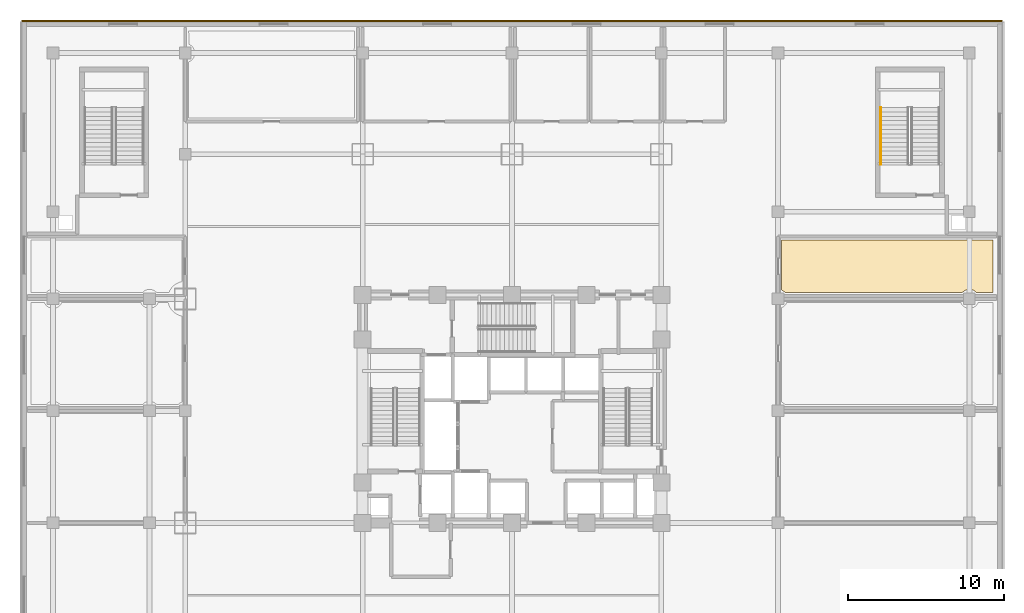
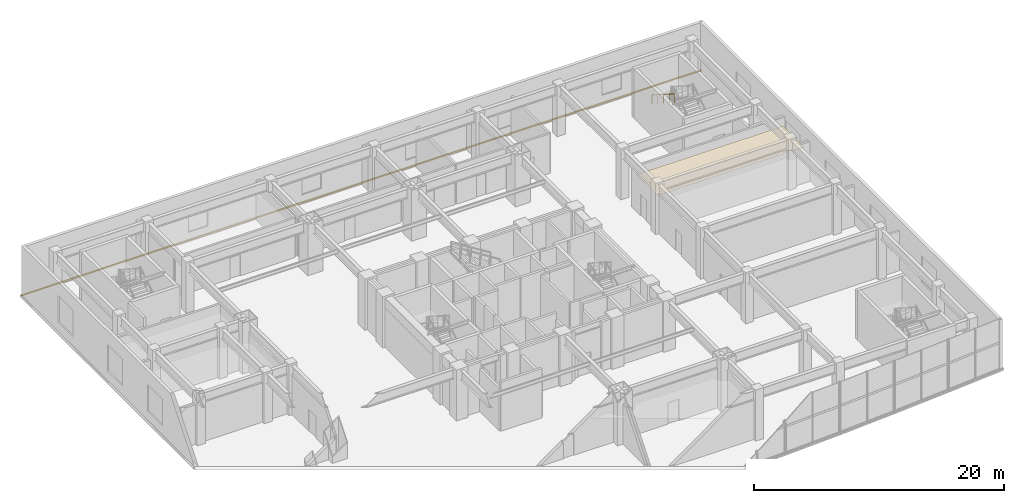
# One storey, part 23 of 24: 2 coverings, 1 railing.
"""IFC4 building model written with IfcOpenShell, lengths in metres."""

from ifc_helpers import new_model, si_unit, direction, frame, origin, origin_2d, place, context, subcontext, project, spatial, polyline, rectangle, outline, extrude, material, layer, layer_set, type_object, element, save


model = new_model("IFC4")

# Units and contexts
model_context = context("Model", 3, precision=1e-05, world=origin(), true_north=direction((0.0, 1.0)))
body_context = subcontext(model_context, "Body", "Model", "MODEL_VIEW")
ifc_project = project(units=[si_unit("LENGTHUNIT", "METRE"), si_unit("AREAUNIT", "SQUARE_METRE"), si_unit("VOLUMEUNIT", "CUBIC_METRE"), si_unit("PLANEANGLEUNIT", "RADIAN"), si_unit("MASSUNIT", "GRAM", prefix="KILO")], contexts=[model_context])

# Site, building, storey
site_placement = place(None, origin())
site = spatial("IfcSite", under=ifc_project, at=site_placement, CompositionType="ELEMENT")
building_placement = place(site_placement, origin())
building = spatial("IfcBuilding", under=site, at=building_placement, Name="Vantalir Tower", CompositionType="ELEMENT")
storey_placement = place(building_placement, frame((0.0, 0.0, 11.0)))
storey = spatial("IfcBuildingStorey", under=building, at=storey_placement, Name="L02", CompositionType="ELEMENT", Elevation=11.0)

# Coverings
ifc_material_1 = material(Name="Perforated acoustic gypsum ceiling board", Category="gypsum")
ifc_layer_1 = layer(ifc_material_1, 0.02001953125)
ifc_layer_set_1 = layer_set([ifc_layer_1], Name="Perforated acoustic gypsum ceiling board")
covering_type_1 = type_object("IfcCoveringType", Name="COV-ACOUSTIC-CEIL-20", PredefinedType="CEILING", material=ifc_layer_set_1)
covering_1_placement = place(storey_placement, frame((0.0, 0.0, 3.1298828125)))
element("IfcCovering", 1, at=covering_1_placement, inside=storey, type_object=covering_type_1, Name="Level 02 Seminar Room 2 Suspended Ceiling", PredefinedType="CEILING", context=body_context, shape_type="SweptSolid", body=[
    extrude(outline(polyline([(62.429931640625, 35.97998046875), (48.820068359375, 35.97998046875), (48.8330078125, 32.761962890625), (48.886962890625, 32.736083984375), (48.93798828125, 32.7060546875), (48.986083984375, 32.669921875), (49.030029296875, 32.6298828125), (49.056884765625, 32.60009765625), (60.443115234375, 32.60009765625), (60.469970703125, 32.6298828125), (60.513916015625, 32.669921875), (60.56201171875, 32.7060546875), (60.613037109375, 32.736083984375), (60.6669921875, 32.761962890625), (60.72412109375, 32.781982421875), (60.781005859375, 32.7958984375), (60.840087890625, 32.804931640625), (60.89990234375, 32.80810546875), (60.9599609375, 32.804931640625), (61.01904296875, 32.7958984375), (61.075927734375, 32.781982421875), (61.133056640625, 32.761962890625), (61.18701171875, 32.736083984375), (61.238037109375, 32.7060546875), (61.285888671875, 32.669921875), (61.330078125, 32.6298828125), (61.35693359375, 32.60009765625), (62.429931640625, 32.60009765625), (62.429931640625, 35.97998046875)])), origin(), (0.0, 0.0, 1.0), 0.02001953125),
])
ifc_material_2 = material(Name="Anodised champagne aluminium sill fascia", Category="aluminium")
ifc_layer_2 = layer(ifc_material_2, 0.125)
ifc_layer_set_2 = layer_set([ifc_layer_2], Name="Anodised champagne aluminium sill fascia")
covering_type_2 = type_object("IfcCoveringType", Name="COV-SLAB-FASCIA-125", PredefinedType="CLADDING", material=ifc_layer_set_2)
covering_2_placement = place(storey_placement, frame((0.0, 0.0, -0.179931640625)))
element("IfcCovering", 2, at=covering_2_placement, inside=storey, type_object=covering_type_2, Name="Level 02 Podium Slab-Edge Fascia N", PredefinedType="CLADDING", context=body_context, shape_type="SweptSolid", body=[
    extrude(outline(polyline([(0.0, 50.0), (63.0, 50.0), (63.0, 50.125), (0.0, 50.125), (0.0, 50.0)])), origin(), (0.0, 0.0, 1.0), 0.10498046875),
])

# Railing
ifc_material_3 = material(Name="Brushed stainless steel tubular handrail", Category="steel")
railing_type = type_object("IfcRailingType", Name="RAL-HANDRAIL-900", PredefinedType="HANDRAIL", material=ifc_material_3)
railing_placement = place(storey_placement, frame((55.199951171875, 44.489990234375, 2.678466796875)))
element("IfcRailing", 3, at=railing_placement, inside=storey, type_object=railing_type, Name="Level 02 PST2 stair handrail 2", PredefinedType="HANDRAIL", context=body_context, shape_type="SweptSolid", body=[
    extrude(rectangle(XDim=0.048095703125, YDim=0.048095703125, at=origin_2d()), frame((0.0, 0.0, 0.8759765625), z_axis=(0.0, -0.843111507901, 0.53773877045), x_axis=(1.0, 0.0, 0.0)), (0.0, 0.0, 1.0), 4.317138671875),
    extrude(rectangle(XDim=0.0419921875, YDim=0.0419921875, at=origin_2d()), origin(), (0.0, 0.0, 1.0), 0.851806640625),
    extrude(rectangle(XDim=0.0419921875, YDim=0.0419921875, at=origin_2d()), frame((0.0, -0.909912109375, 0.580322265625)), (0.0, 0.0, 1.0), 0.851806640625),
    extrude(rectangle(XDim=0.0419921875, YDim=0.0419921875, at=origin_2d()), frame((0.0, -1.81982421875, 1.16064453125)), (0.0, 0.0, 1.0), 0.851806640625),
    extrude(rectangle(XDim=0.0419921875, YDim=0.0419921875, at=origin_2d()), frame((0.0, -2.72998046875, 1.7412109375)), (0.0, 0.0, 1.0), 0.851806640625),
    extrude(rectangle(XDim=0.0419921875, YDim=0.0419921875, at=origin_2d()), frame((0.0, -3.639892578125, 2.321533203125)), (0.0, 0.0, 1.0), 0.851806640625),
])

save(model, "model.ifc")
